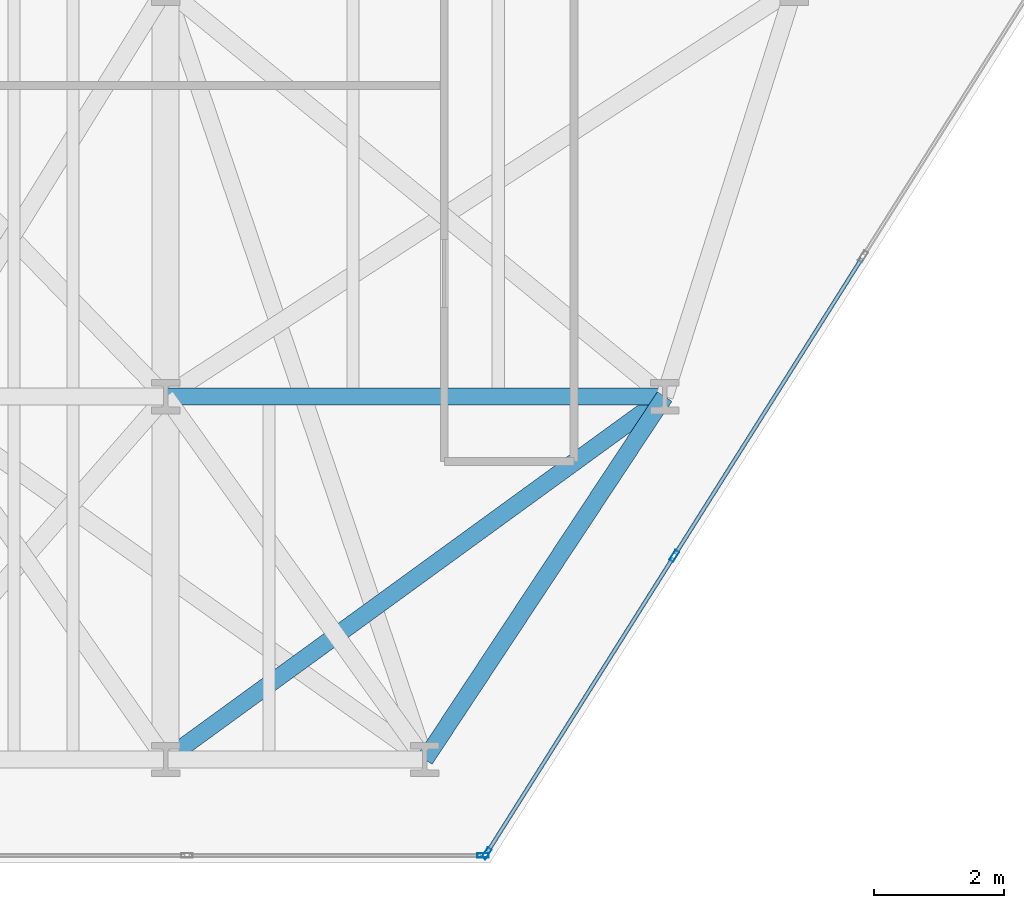
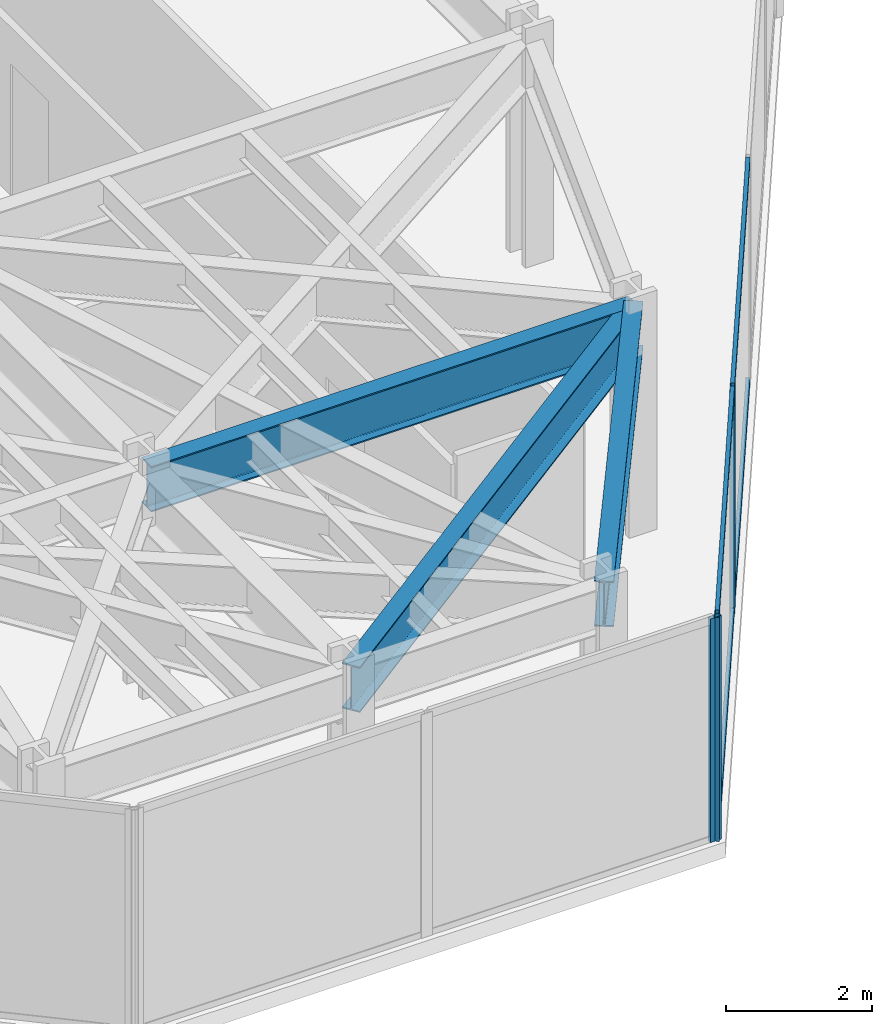
# One storey, part 5 of 25: 7 members, 3 beams, 2 elements without a shape of their own.
"""IFC4 building model written with IfcOpenShell, lengths in metres."""

from ifc_helpers import new_model, si_unit, direction, frame, origin, origin_2d, place, context, subcontext, project, spatial, hollow_rectangle, i_section, extrude, material, layer, layer_set, material_profile, profile_set, type_object, element, aggregate, save


model = new_model("IFC4")

# Units and contexts
model_context = context("Model", 3, precision=1e-05, world=origin(), true_north=direction((0.0, 1.0)))
body_context = subcontext(model_context, "Body", "Model", "MODEL_VIEW")
ifc_project = project(units=[si_unit("LENGTHUNIT", "METRE"), si_unit("AREAUNIT", "SQUARE_METRE"), si_unit("VOLUMEUNIT", "CUBIC_METRE"), si_unit("PLANEANGLEUNIT", "RADIAN"), si_unit("MASSUNIT", "GRAM", prefix="KILO")], contexts=[model_context])

# Site, building, storey
site_placement = place(None, origin())
site = spatial("IfcSite", under=ifc_project, at=site_placement, CompositionType="ELEMENT")
building_placement = place(site_placement, origin())
building = spatial("IfcBuilding", under=site, at=building_placement, Name="Kravanh Interchange Tower", CompositionType="ELEMENT")
storey_placement = place(building_placement, frame((0.0, 0.0, 41.5)))
storey = spatial("IfcBuildingStorey", under=building, at=storey_placement, Name="L09", CompositionType="ELEMENT", Elevation=41.5)

# Curtain wall, members
ifc_material_1 = material(Name="Anodised Bronze Aluminium", Category="aluminium")
ifc_layer = layer(ifc_material_1, 0.179931640625)
ifc_layer_set = layer_set([ifc_layer], Name="Unitised Curtain Wall System CW-Z1 Lower Office")
curtain_wall_type = type_object("IfcCurtainWallType", Name="Unitised Curtain Wall System CW-Z1 Lower Office", PredefinedType="NOTDEFINED", material=ifc_layer_set)
curtain_wall_1_placement = place(storey_placement, origin())
curtain_wall_1 = element("IfcCurtainWall", 1, at=curtain_wall_1_placement, inside=storey, type_object=curtain_wall_type, Name="L09 Unitised Curtain Wall CW-L09-05", PredefinedType="NOTDEFINED")
ifc_material_2 = material(Name="Anodised Bronze Aluminium", Category="aluminium")
ifc_material_profile_1 = material_profile(ifc_material_2, hollow_rectangle(XDim=0.070068359375, YDim=0.179931640625, WallThickness=0.00390625, at=origin_2d()), Name="ALU70X180X4")
ifc_profile_set_1 = profile_set([ifc_material_profile_1], Name="Anodised Bronze Aluminium")
member_type_1 = type_object("IfcMemberType", Name="Curtain Wall Mullion ALU70X180X4 Bronze", PredefinedType="MULLION", material=ifc_profile_set_1)
member_1_placement = place(storey_placement, frame((25.346923828125, 5.740966796875, 0.0), z_axis=(0.0, 0.0, 1.0), x_axis=(0.845925530786, -0.53330103728, 0.0)))
member_1 = element("IfcMember", 2, at=member_1_placement, type_object=member_type_1, Name="CW-Z1 mullion 5", PredefinedType="MULLION", context=body_context, shape_type="SweptSolid", body=[
    extrude(hollow_rectangle(XDim=0.070068359375, YDim=0.179931640625, WallThickness=0.00390625, at=origin_2d()), origin(), (0.0, 0.0, 1.0), 3.739990234375),
])
member_2_placement = place(storey_placement, frame((22.452392578125, 1.149658203125, 0.0), z_axis=(0.0, 0.0, 1.0), x_axis=(0.845925530786, -0.53330103728, 0.0)))
member_2 = element("IfcMember", 3, at=member_2_placement, type_object=member_type_1, Name="CW-Z1 mullion 6", PredefinedType="MULLION", context=body_context, shape_type="SweptSolid", body=[
    extrude(hollow_rectangle(XDim=0.070068359375, YDim=0.179931640625, WallThickness=0.00390625, at=origin_2d()), origin(), (0.0, 0.0, 1.0), 3.739990234375),
])

# Curtain wall, member
curtain_wall_2_placement = place(storey_placement, origin())
curtain_wall_2 = element("IfcCurtainWall", 4, at=curtain_wall_2_placement, inside=storey, type_object=curtain_wall_type, Name="L09 Unitised Curtain Wall CW-L09-06", PredefinedType="NOTDEFINED")
member_3_placement = place(storey_placement, frame((22.398681640625, 1.1201171875, 0.0), z_axis=(0.0, 0.0, 1.0), x_axis=(0.0, -1.0, 0.0)))
member_3 = element("IfcMember", 5, at=member_3_placement, type_object=member_type_1, Name="CW-Z1 mullion 1", PredefinedType="MULLION", context=body_context, shape_type="SweptSolid", body=[
    extrude(hollow_rectangle(XDim=0.070068359375, YDim=0.179931640625, WallThickness=0.00390625, at=origin_2d()), origin(), (0.0, 0.0, 1.0), 3.739990234375),
])
aggregate(curtain_wall_2, [member_3])

# Member
ifc_material_3 = material(Name="Anodised Bronze Aluminium", Category="aluminium")
ifc_material_profile_2 = material_profile(ifc_material_3, hollow_rectangle(XDim=0.06005859375, YDim=0.139892578125, WallThickness=0.00390625, at=origin_2d()), Name="ALU60X140X4")
ifc_profile_set_2 = profile_set([ifc_material_profile_2], Name="Anodised Bronze Aluminium")
member_type_2 = type_object("IfcMemberType", Name="Curtain Wall Transom ALU60X140X4 Bronze", PredefinedType="USERDEFINED", material=ifc_profile_set_2)
member_4_placement = place(storey_placement, frame((28.24169921875, 10.332275390625, 0.030029296875), z_axis=(-0.533311487456, -0.84591894254, 0.0), x_axis=(0.84591894254, -0.533311487456, 0.0)))
member_4 = element("IfcMember", 6, at=member_4_placement, type_object=member_type_2, Name="CW-Z1 transom 4.1", ObjectType="TRANSOM", PredefinedType="USERDEFINED", context=body_context, shape_type="SweptSolid", body=[
    extrude(hollow_rectangle(XDim=0.06005859375, YDim=0.139892578125, WallThickness=0.00390625, at=origin_2d()), origin(), (0.0, 0.0, 1.0), 5.392578125),
])

member_5_placement = place(storey_placement, frame((28.24169921875, 10.332275390625, 3.7099609375), z_axis=(-0.533311487456, -0.84591894254, 0.0), x_axis=(0.84591894254, -0.533311487456, 0.0)))
member_5 = element("IfcMember", 7, at=member_5_placement, type_object=member_type_2, Name="CW-Z1 transom 4.2", ObjectType="TRANSOM", PredefinedType="USERDEFINED", context=body_context, shape_type="SweptSolid", body=[
    extrude(hollow_rectangle(XDim=0.06005859375, YDim=0.139892578125, WallThickness=0.00390625, at=origin_2d()), origin(), (0.0, 0.0, 1.0), 5.392578125),
])

member_6_placement = place(storey_placement, frame((25.328369140625, 5.71142578125, 0.030029296875), z_axis=(-0.533288163518, -0.845933646719, 0.0), x_axis=(0.845933646719, -0.533288163518, 0.0)))
member_6 = element("IfcMember", 8, at=member_6_placement, type_object=member_type_2, Name="CW-Z1 transom 5.1", ObjectType="TRANSOM", PredefinedType="USERDEFINED", context=body_context, shape_type="SweptSolid", body=[
    extrude(hollow_rectangle(XDim=0.06005859375, YDim=0.139892578125, WallThickness=0.00390625, at=origin_2d()), origin(), (0.0, 0.0, 1.0), 5.357666015625),
])

member_7_placement = place(storey_placement, frame((25.328369140625, 5.71142578125, 3.7099609375), z_axis=(-0.533288163518, -0.845933646719, 0.0), x_axis=(0.845933646719, -0.533288163518, 0.0)))
member_7 = element("IfcMember", 9, at=member_7_placement, type_object=member_type_2, Name="CW-Z1 transom 5.2", ObjectType="TRANSOM", PredefinedType="USERDEFINED", context=body_context, shape_type="SweptSolid", body=[
    extrude(hollow_rectangle(XDim=0.06005859375, YDim=0.139892578125, WallThickness=0.00390625, at=origin_2d()), origin(), (0.0, 0.0, 1.0), 5.357666015625),
])

aggregate(curtain_wall_1, [member_1, member_2, member_4, member_5, member_6, member_7])

# Beams
ifc_material_4 = material(Name="Structural Steel S355", Category="steel")
ifc_material_profile_3 = material_profile(ifc_material_4, i_section(OverallWidth=0.26708984375, OverallDepth=0.761962890625, WebThickness=0.014404296875, FlangeThickness=0.021484375, FilletRadius=0.02490234375, at=origin_2d()), Name="W30X116")
ifc_profile_set_3 = profile_set([ifc_material_profile_3], Name="Structural Steel S355")
beam_type = type_object("IfcBeamType", Name="Floor Spandrel W30X116 Structural Steel S355", PredefinedType="SPANDREL", material=ifc_profile_set_3)
beam_1_placement = place(storey_placement, frame((17.5, 2.60009765625, 3.35888671875), z_axis=(0.808741628611, 0.588164074176, 0.0), x_axis=(-0.588164074176, 0.808741628611, 0.0)))
element("IfcBeam", 10, at=beam_1_placement, inside=storey, type_object=beam_type, Name="L09 Perimeter Spandrel 105", PredefinedType="SPANDREL", context=body_context, shape_type="SweptSolid", body=[
    extrude(i_section(OverallWidth=0.26708984375, OverallDepth=0.761962890625, WebThickness=0.014404296875, FlangeThickness=0.021484375, FilletRadius=0.02490234375, at=origin_2d()), origin(), (0.0, 0.0, 1.0), 9.52099609375),
])
beam_2_placement = place(storey_placement, frame((21.5, 2.60009765625, 3.35888671875), z_axis=(0.551262239226, 0.834332034386, 0.0), x_axis=(-0.834332034386, 0.551262239226, 0.0)))
element("IfcBeam", 11, at=beam_2_placement, inside=storey, type_object=beam_type, Name="L09 Perimeter Spandrel 121", PredefinedType="SPANDREL", context=body_context, shape_type="SweptSolid", body=[
    extrude(i_section(OverallWidth=0.26708984375, OverallDepth=0.761962890625, WebThickness=0.014404296875, FlangeThickness=0.021484375, FilletRadius=0.02490234375, at=origin_2d()), origin(), (0.0, 0.0, 1.0), 6.711669921875),
])
beam_3_placement = place(storey_placement, frame((17.5, 8.199951171875, 3.35888671875), z_axis=(1.0, 0.0, 0.0), x_axis=(0.0, 1.0, 0.0)))
element("IfcBeam", 12, at=beam_3_placement, inside=storey, type_object=beam_type, Name="L09 Perimeter Spandrel 137", PredefinedType="SPANDREL", context=body_context, shape_type="SweptSolid", body=[
    extrude(i_section(OverallWidth=0.26708984375, OverallDepth=0.761962890625, WebThickness=0.014404296875, FlangeThickness=0.021484375, FilletRadius=0.02490234375, at=origin_2d()), origin(), (0.0, 0.0, 1.0), 7.699951171875),
])

save(model, "model.ifc")
